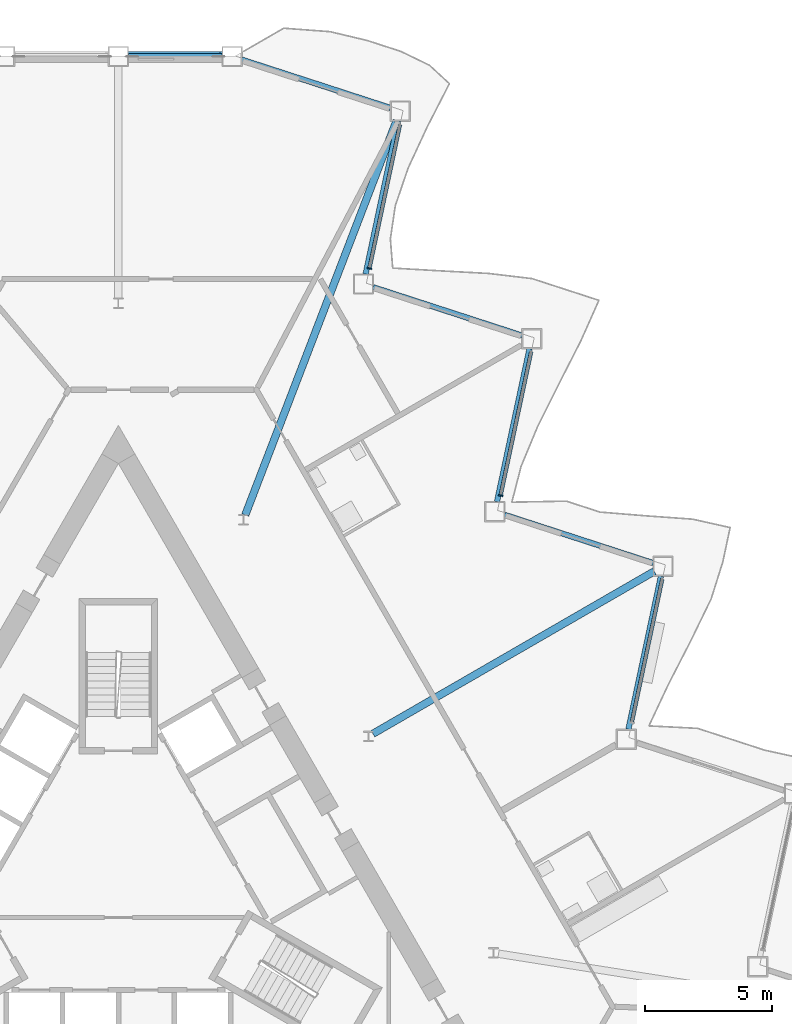
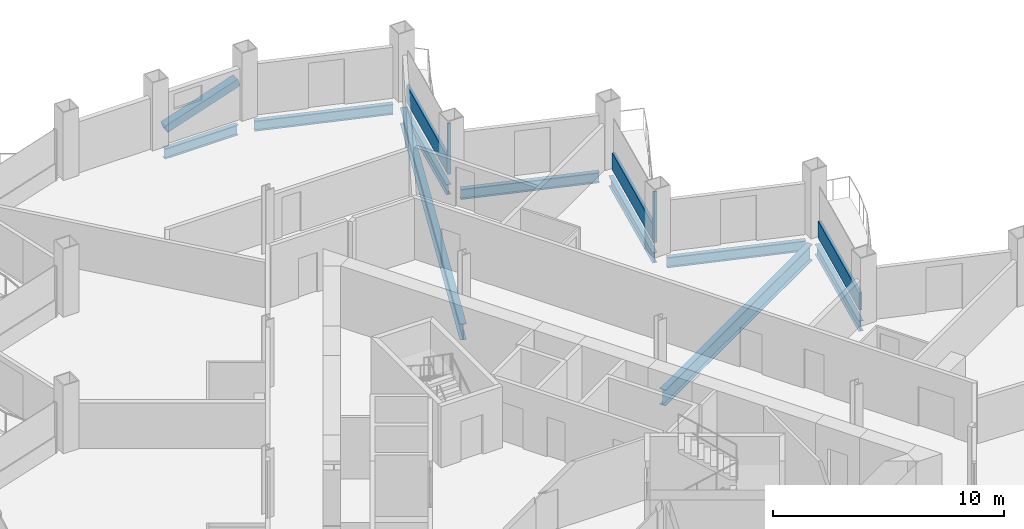
# One storey, part 9 of 23: 9 beams, 6 members, 3 elements without a shape of their own.
"""IFC4 building model written with IfcOpenShell, lengths in metres."""

import ifcopenshell
import ifcopenshell.guid

model = None  # the IFC model being written
_history = None  # IfcOwnerHistory: only IFC2X3 demands one
_inside = {}  # id of a spatial element -> (the spatial element, [elements in it])
_under = {}  # id of a project, library or spatial element -> (it, [spatial elements below it])
_declared = {}  # id of a project -> (the project, [libraries it declares])
_typed = {}  # id of a type object -> (the type object, [elements of that type])
_made_of = {}  # id of a material, layer set ... -> (it, [elements and type objects made of it])


def new_model(schema):
    """Start an empty IFC model of exactly this schema.

    Asked for "IFC4X3", IfcOpenShell would pick the latest addendum, in which some entities
    have other attributes; the version numbers below select the first issue.
    IFC2X3 requires an IfcOwnerHistory on every rooted entity: one is made here for all.
    """
    global model, _history
    if schema == "IFC4X3":
        model = ifcopenshell.file(schema_version=(4, 3, 0, 0))
    else:
        model = ifcopenshell.file(schema=schema)
    _inside.clear()
    _under.clear()
    _declared.clear()
    _typed.clear()
    _made_of.clear()
    _history = None
    if model.schema == "IFC2X3":
        org = make("IfcOrganization", Name="unknown")
        user = make(
            "IfcPersonAndOrganization",
            ThePerson=make("IfcPerson", FamilyName="unknown"),
            TheOrganization=org,
        )
        app = make(
            "IfcApplication",
            ApplicationDeveloper=org,
            Version="unknown",
            ApplicationFullName="unknown",
            ApplicationIdentifier="unknown",
        )
        _history = make(
            "IfcOwnerHistory",
            OwningUser=user,
            OwningApplication=app,
            ChangeAction="ADDED",
            CreationDate=0,
        )
    return model


def make(cls, **values):
    """One entity of the class cls with the attributes given. An attribute that is None is left unset."""
    return model.create_entity(
        cls, **{name: value for name, value in values.items() if value is not None}
    )


def rooted(cls, **values):
    """An entity with a GlobalId (a new one), such as an element, a storey or a relation."""
    return make(cls, GlobalId=ifcopenshell.guid.new(), OwnerHistory=_history, **values)


def si_unit(unit_type, name, prefix=None):
    """IfcSIUnit, for example si_unit("LENGTHUNIT", "METRE", prefix="MILLI")."""
    return make("IfcSIUnit", UnitType=unit_type, Prefix=prefix, Name=name)


def assignment(units):
    """IfcUnitAssignment: the units of a project."""
    return None if units is None else make("IfcUnitAssignment", Units=units)


def point(xyz):
    """IfcCartesianPoint."""
    return None if xyz is None else make("IfcCartesianPoint", Coordinates=xyz)


def direction(xyz):
    """IfcDirection."""
    return None if xyz is None else make("IfcDirection", DirectionRatios=xyz)


def frame(location, z_axis=None, x_axis=None):
    """IfcAxis2Placement3D, a coordinate frame: its origin and axes. An axis left out is left unset."""
    return make(
        "IfcAxis2Placement3D",
        Location=point(location),
        Axis=direction(z_axis),
        RefDirection=direction(x_axis),
    )


def frame_2d(location, x_axis=None):
    """IfcAxis2Placement2D, a coordinate frame in the plane: its origin and x axis."""
    return make(
        "IfcAxis2Placement2D", Location=point(location), RefDirection=direction(x_axis)
    )


def origin():
    """The frame at (0, 0, 0) with its axes left unset."""
    return frame((0.0, 0.0, 0.0))


def origin_2d():
    """The frame at (0, 0) in the plane with its x axis left unset."""
    return frame_2d((0.0, 0.0))


def place(relative_to, where):
    """IfcLocalPlacement: puts the frame where relative to a parent placement (None: the world)."""
    return make(
        "IfcLocalPlacement", PlacementRelTo=relative_to, RelativePlacement=where
    )


def context(
    kind, dimensions, precision=None, world=None, true_north=None, identifier=None
):
    """IfcGeometricRepresentationContext, for example the 3D "Model" context."""
    return make(
        "IfcGeometricRepresentationContext",
        ContextIdentifier=identifier,
        ContextType=kind,
        CoordinateSpaceDimension=dimensions,
        Precision=precision,
        WorldCoordinateSystem=world,
        TrueNorth=true_north,
    )


def subcontext(parent, identifier, kind, view, scale=None):
    """IfcGeometricRepresentationSubContext, for example "Body" below "Model"."""
    return make(
        "IfcGeometricRepresentationSubContext",
        ContextIdentifier=identifier,
        ContextType=kind,
        ParentContext=parent,
        TargetScale=scale,
        TargetView=view,
    )


def project(units=None, contexts=None):
    """IfcProject with its units and contexts."""
    return rooted(
        "IfcProject",
        Name="project",
        RepresentationContexts=contexts,
        UnitsInContext=assignment(units),
    )


def spatial(cls, under=None, at=None, **own):
    """A site, building, storey or space (cls), placed at a placement, below another one or the project."""
    s = rooted(cls, ObjectPlacement=at, **own)
    if under is not None:
        _under.setdefault(under.id(), (under, []))[1].append(s)
    return s


def profile(cls, at=None, kind="AREA", **sizes):
    """A parametric profile (cls). Its sizes go by their IFC names, for example OverallWidth=200.0."""
    return make(cls, ProfileType=kind, Position=at, **sizes)


def rectangle(**sizes):
    """IfcRectangleProfileDef."""
    return profile("IfcRectangleProfileDef", **sizes)


def hollow_rectangle(**sizes):
    """IfcRectangleHollowProfileDef."""
    return profile("IfcRectangleHollowProfileDef", **sizes)


def i_section(**sizes):
    """IfcIShapeProfileDef."""
    return profile("IfcIShapeProfileDef", **sizes)


def extrude(swept, where, along, depth):
    """IfcExtrudedAreaSolid: the profile swept, set in the frame where, extruded along a direction by depth."""
    return make(
        "IfcExtrudedAreaSolid",
        SweptArea=swept,
        Position=where,
        ExtrudedDirection=direction(along),
        Depth=depth,
    )


def shape(context_of_items, identifier, shape_type, items):
    """IfcShapeRepresentation: the items that make up one representation, for example the "Body"."""
    return make(
        "IfcShapeRepresentation",
        ContextOfItems=context_of_items,
        RepresentationIdentifier=identifier,
        RepresentationType=shape_type,
        Items=items,
    )


def material(Name=None, Category=None):
    """IfcMaterial."""
    return make("IfcMaterial", Name=Name, Category=Category)


def layer(
    of_material, thickness, ventilated=None, Name=None, Category=None, Priority=None
):
    """IfcMaterialLayer: one layer of a wall or slab, of a material (None: an air gap)."""
    return make(
        "IfcMaterialLayer",
        Material=of_material,
        LayerThickness=thickness,
        IsVentilated=ventilated,
        Name=Name,
        Category=Category,
        Priority=Priority,
    )


def layer_set(layers, Name=None):
    """IfcMaterialLayerSet."""
    return make("IfcMaterialLayerSet", MaterialLayers=layers, LayerSetName=Name)


def material_profile(
    of_material, cross_section, Name=None, Category=None, Priority=None
):
    """IfcMaterialProfile: a cross section and its material."""
    return make(
        "IfcMaterialProfile",
        Name=Name,
        Material=of_material,
        Profile=cross_section,
        Priority=Priority,
        Category=Category,
    )


def profile_set(profiles, Name=None, composite=None):
    """IfcMaterialProfileSet."""
    return make(
        "IfcMaterialProfileSet",
        Name=Name,
        MaterialProfiles=profiles,
        CompositeProfile=composite,
    )


def made_of(thing, what):
    """Note that an element or type object is made of a material, layer set ...; save() writes the relation."""
    if what is not None:
        _made_of.setdefault(what.id(), (what, []))[1].append(thing)
    return thing


def type_object(cls, material=None, **own):
    """A type object (cls), such as IfcWallType, which elements share."""
    return made_of(rooted(cls, **own), material)


def element(
    cls,
    number,
    at=None,
    inside=None,
    cuts=None,
    type_object=None,
    material=None,
    context=None,
    identifier="Body",
    shape_type=None,
    held_by="IfcProductDefinitionShape",
    body=None,
    shapes=None,
    **own,
):
    """One element of the class cls, such as IfcWall. Its Tag is "e" and its number.

    at: its placement. inside: the storey or other place that contains it. cuts: it is an
    opening in that element (IfcRelVoidsElement). A single representation is given by context,
    identifier, shape_type and body (its items); several are given by shapes. held_by: the class
    of the entity that holds the representations. save() writes the other relations.
    """
    e = rooted(cls, Tag="e%d" % number, ObjectPlacement=at, **own)
    if body is not None:
        shapes = [shape(context, identifier, shape_type, body)]
    if shapes is not None:
        e.Representation = make(held_by, Representations=shapes)
    if inside is not None:
        _inside.setdefault(inside.id(), (inside, []))[1].append(e)
    if cuts is not None:
        rooted(
            "IfcRelVoidsElement", RelatingBuildingElement=cuts, RelatedOpeningElement=e
        )
    if type_object is not None:
        _typed.setdefault(type_object.id(), (type_object, []))[1].append(e)
    return made_of(e, material)


def aggregate(whole, parts):
    """IfcRelAggregates: a whole, such as a stair, and the parts it consists of."""
    return rooted("IfcRelAggregates", RelatingObject=whole, RelatedObjects=parts)


def save(model, path):
    """Write the relations noted so far, then the file.

    IfcRelAggregates (storeys below a building ...), IfcRelContainedInSpatialStructure (elements
    in a storey), IfcRelDefinesByType, IfcRelAssociatesMaterial and IfcRelDeclares: one each for
    every whole, place, type object, material and project.
    """
    for whole, parts in _under.values():
        aggregate(whole, parts)
    for where, things in _inside.values():
        rooted(
            "IfcRelContainedInSpatialStructure",
            RelatedElements=things,
            RelatingStructure=where,
        )
    for kind, things in _typed.values():
        rooted("IfcRelDefinesByType", RelatedObjects=things, RelatingType=kind)
    for what, things in _made_of.values():
        rooted("IfcRelAssociatesMaterial", RelatedObjects=things, RelatingMaterial=what)
    for by, libraries in _declared.values():
        rooted("IfcRelDeclares", RelatingContext=by, RelatedDefinitions=libraries)
    model.write(path)


model = new_model("IFC4")

# Units and contexts
model_context = context("Model", 3, precision=1e-05, world=origin(), true_north=direction((0.0, 1.0)))
body_context = subcontext(model_context, "Body", "Model", "MODEL_VIEW")
ifc_project = project(units=[si_unit("LENGTHUNIT", "METRE"), si_unit("AREAUNIT", "SQUARE_METRE"), si_unit("VOLUMEUNIT", "CUBIC_METRE"), si_unit("PLANEANGLEUNIT", "RADIAN"), si_unit("MASSUNIT", "GRAM", prefix="KILO")], contexts=[model_context])

# Site, building, storey
site_placement = place(None, origin())
site = spatial("IfcSite", under=ifc_project, at=site_placement, CompositionType="ELEMENT")
building_placement = place(site_placement, origin())
building = spatial("IfcBuilding", under=site, at=building_placement, Name="Cormorant Prow Tower", CompositionType="ELEMENT")
storey_placement = place(building_placement, frame((0.0, 0.0, 212.39990234375)))
storey = spatial("IfcBuildingStorey", under=building, at=storey_placement, Name="L47", CompositionType="ELEMENT", Elevation=212.39990234375)

# Member
ifc_material_1 = material(Name="Structural steel ASTM A500 Gr C", Category="steel")
ifc_material_profile_1 = material_profile(ifc_material_1, hollow_rectangle(XDim=0.406494140625, YDim=0.406494140625, WallThickness=0.01171875, at=origin_2d()), Name="HSS16x16x1/2")
ifc_profile_set_1 = profile_set([ifc_material_profile_1], Name="Structural steel ASTM A500 Gr C")
member_type_1 = type_object("IfcMemberType", Name="Chamfer brace HSS16x16x1/2", PredefinedType="BRACE", material=ifc_profile_set_1)
member_1_placement = place(storey_placement, frame((0.417236328125, 32.3994140625, 0.740234375), z_axis=(0.947999999098, 0.0, 0.318270328039), x_axis=(0.0, 1.0, 0.0)))
element("IfcMember", 1, at=member_1_placement, inside=storey, type_object=member_type_1, Name="Chamfer brace BR2 at N00 L47", PredefinedType="BRACE", context=body_context, shape_type="SweptSolid", body=[
    extrude(hollow_rectangle(XDim=0.406494140625, YDim=0.406494140625, WallThickness=0.01171875, at=origin_2d()), origin(), (0.0, 0.0, 1.0), 3.83544921875),
])

# Curtain wall, member
ifc_material_2 = material(Name="Aluminium 6063-T6", Category="aluminium")
ifc_layer = layer(ifc_material_2, 0.179931640625)
ifc_layer_set = layer_set([ifc_layer], Name="Aluminium 6063-T6")
curtain_wall_type = type_object("IfcCurtainWallType", Name="Hotel unitised curtain wall 180", PredefinedType="NOTDEFINED", material=ifc_layer_set)
curtain_wall_1_placement = place(storey_placement, origin())
curtain_wall_1 = element("IfcCurtainWall", 2, at=curtain_wall_1_placement, inside=storey, type_object=curtain_wall_type, Name="Hotel curtain wall ENE06", PredefinedType="NOTDEFINED")
ifc_material_3 = material(Name="Aluminium 6063-T6", Category="aluminium")
ifc_material_profile_2 = material_profile(ifc_material_3, rectangle(XDim=0.179931640625, YDim=0.06005859375, at=origin_2d()), Name="Hotel mullion 60x180")
ifc_profile_set_2 = profile_set([ifc_material_profile_2], Name="Aluminium 6063-T6")
member_type_2 = type_object("IfcMemberType", Name="Hotel mullion 60x180", PredefinedType="MULLION", material=ifc_profile_set_2)
member_2_placement = place(storey_placement, frame((15.027099609375, 15.142333984375, 0.0), z_axis=(0.0, 0.0, 1.0), x_axis=(-0.978147602617, 0.207911681957, 0.0)))
member_2 = element("IfcMember", 3, at=member_2_placement, type_object=member_type_2, Name="Hotel mullion ENE06", PredefinedType="MULLION", context=body_context, shape_type="SweptSolid", body=[
    extrude(rectangle(XDim=0.179931640625, YDim=0.06005859375, at=origin_2d()), origin(), (0.0, 0.0, 1.0), 2.700927734375),
])

curtain_wall_2_placement = place(storey_placement, origin())
curtain_wall_2 = element("IfcCurtainWall", 4, at=curtain_wall_2_placement, inside=storey, type_object=curtain_wall_type, Name="Hotel curtain wall ENE08", PredefinedType="NOTDEFINED")
member_3_placement = place(storey_placement, frame((9.87158203125, 24.072021484375, 0.0), z_axis=(0.0, 0.0, 1.0), x_axis=(-0.978147596387, 0.20791171127, 0.0)))
member_3 = element("IfcMember", 5, at=member_3_placement, type_object=member_type_2, Name="Hotel mullion ENE08", PredefinedType="MULLION", context=body_context, shape_type="SweptSolid", body=[
    extrude(rectangle(XDim=0.179931640625, YDim=0.06005859375, at=origin_2d()), origin(), (0.0, 0.0, 1.0), 2.700927734375),
])

curtain_wall_3_placement = place(storey_placement, origin())
curtain_wall_3 = element("IfcCurtainWall", 6, at=curtain_wall_3_placement, inside=storey, type_object=curtain_wall_type, Name="Hotel curtain wall ENE04", PredefinedType="NOTDEFINED")
ifc_material_4 = material(Name="Terracotta", Category="masonry")
ifc_material_profile_3 = material_profile(ifc_material_4, rectangle(XDim=0.139892578125, YDim=0.89990234375, at=origin_2d()), Name="Hotel terracotta spandrel rail 140x900")
ifc_profile_set_3 = profile_set([ifc_material_profile_3], Name="Terracotta")
member_type_3 = type_object("IfcMemberType", Name="Hotel terracotta spandrel rail 140x900", PredefinedType="USERDEFINED", material=ifc_profile_set_3)
member_4_placement = place(storey_placement, frame((20.18896484375, 6.24169921875, 0.4501953125), z_axis=(0.207925883131, 0.978144583957, 0.0), x_axis=(-0.978144583957, 0.207925883131, 0.0)))
member_4 = element("IfcMember", 7, at=member_4_placement, type_object=member_type_3, Name="Hotel spandrel rail ENE04", ObjectType="TRANSOM", PredefinedType="USERDEFINED", context=body_context, shape_type="SweptSolid", body=[
    extrude(rectangle(XDim=0.139892578125, YDim=0.89990234375, at=origin_2d()), origin(), (0.0, 0.0, 1.0), 5.74169921875),
])
aggregate(curtain_wall_3, [member_4])

# Member
member_5_placement = place(storey_placement, frame((15.033447265625, 15.171630859375, 0.4501953125), z_axis=(0.207885200263, 0.9781532311, 0.0), x_axis=(-0.9781532311, 0.207885200263, 0.0)))
member_5 = element("IfcMember", 8, at=member_5_placement, type_object=member_type_3, Name="Hotel spandrel rail ENE06", ObjectType="TRANSOM", PredefinedType="USERDEFINED", context=body_context, shape_type="SweptSolid", body=[
    extrude(rectangle(XDim=0.139892578125, YDim=0.89990234375, at=origin_2d()), origin(), (0.0, 0.0, 1.0), 5.74169921875),
])

aggregate(curtain_wall_1, [member_2, member_5])

member_6_placement = place(storey_placement, frame((9.877685546875, 24.1015625, 0.4501953125), z_axis=(0.207934531396, 0.97814274554, 0.0), x_axis=(-0.97814274554, 0.207934531396, 0.0)))
member_6 = element("IfcMember", 9, at=member_6_placement, type_object=member_type_3, Name="Hotel spandrel rail ENE08", ObjectType="TRANSOM", PredefinedType="USERDEFINED", context=body_context, shape_type="SweptSolid", body=[
    extrude(rectangle(XDim=0.139892578125, YDim=0.89990234375, at=origin_2d()), origin(), (0.0, 0.0, 1.0), 5.741455078125),
])

aggregate(curtain_wall_2, [member_3, member_6])

# Beams
ifc_material_5 = material(Name="Structural steel ASTM A992 Gr 50", Category="steel")
ifc_material_profile_4 = material_profile(ifc_material_5, i_section(OverallWidth=0.29296875, OverallDepth=0.845703125, WebThickness=0.015380859375, FlangeThickness=0.0244140625, at=origin_2d()), Name="W33x141")
ifc_profile_set_4 = profile_set([ifc_material_profile_4], Name="Structural steel ASTM A992 Gr 50")
beam_type_1 = type_object("IfcBeamType", Name="Radial floor beam W33x141", PredefinedType="BEAM", material=ifc_profile_set_4)
beam_1_placement = place(storey_placement, frame((10.0048828125, 5.7763671875, -0.772705078125), z_axis=(0.866026069776, 0.499998846467, 0.0), x_axis=(-0.499998846467, 0.866026069776, 0.0)))
element("IfcBeam", 10, at=beam_1_placement, inside=storey, type_object=beam_type_1, Name="Radial floor beam FB2 11 L47", PredefinedType="BEAM", context=body_context, shape_type="SweptSolid", body=[
    extrude(i_section(OverallWidth=0.29296875, OverallDepth=0.845703125, WebThickness=0.015380859375, FlangeThickness=0.0244140625, at=origin_2d()), origin(), (0.0, 0.0, 1.0), 12.76904296875),
])
beam_2_placement = place(storey_placement, frame((4.9873046875, 14.376220703125, -0.772705078125), z_axis=(0.358301123829, 0.933606075742, 0.0), x_axis=(-0.933606075742, 0.358301123829, 0.0)))
element("IfcBeam", 11, at=beam_2_placement, inside=storey, type_object=beam_type_1, Name="Radial floor beam FB2 12 L47", PredefinedType="BEAM", context=body_context, shape_type="SweptSolid", body=[
    extrude(i_section(OverallWidth=0.29296875, OverallDepth=0.845703125, WebThickness=0.015380859375, FlangeThickness=0.0244140625, at=origin_2d()), origin(), (0.0, 0.0, 1.0), 16.604736328125),
])
ifc_material_6 = material(Name="Structural steel ASTM A992 Gr 50", Category="steel")
ifc_material_profile_5 = material_profile(ifc_material_6, i_section(OverallWidth=0.2138671875, OverallDepth=0.549072265625, WebThickness=0.0146484375, FlangeThickness=0.023681640625, at=origin_2d()), Name="W21x93")
ifc_profile_set_5 = profile_set([ifc_material_profile_5], Name="Structural steel ASTM A992 Gr 50")
beam_type_2 = type_object("IfcBeamType", Name="Spandrel beam W21x93", PredefinedType="SPANDREL", material=ifc_profile_set_5)
beam_3_placement = place(storey_placement, frame((20.0478515625, 5.9541015625, -0.62451171875), z_axis=(0.207904811195, 0.978149063018, 0.0), x_axis=(-0.978149063018, 0.207904811195, 0.0)))
element("IfcBeam", 12, at=beam_3_placement, inside=storey, type_object=beam_type_2, Name="Spandrel beam SB2 ENE04-ENE05 L47", PredefinedType="SPANDREL", context=body_context, shape_type="SweptSolid", body=[
    extrude(i_section(OverallWidth=0.2138671875, OverallDepth=0.549072265625, WebThickness=0.0146484375, FlangeThickness=0.023681640625, at=origin_2d()), origin(), (0.0, 0.0, 1.0), 6.149658203125),
])
beam_4_placement = place(storey_placement, frame((21.029052734375, 12.484375, -0.62451171875), z_axis=(-0.951057696564, 0.309013361859, 0.0), x_axis=(-0.309013361859, -0.951057696564, 0.0)))
element("IfcBeam", 13, at=beam_4_placement, inside=storey, type_object=beam_type_2, Name="Spandrel beam SB2 ENE05-ENE06 L47", PredefinedType="SPANDREL", context=body_context, shape_type="SweptSolid", body=[
    extrude(i_section(OverallWidth=0.2138671875, OverallDepth=0.549072265625, WebThickness=0.0146484375, FlangeThickness=0.023681640625, at=origin_2d()), origin(), (0.0, 0.0, 1.0), 6.14990234375),
])
beam_5_placement = place(storey_placement, frame((14.883056640625, 14.899658203125, -0.62451171875), z_axis=(0.207904811195, 0.978149063018, 0.0), x_axis=(-0.978149063018, 0.207904811195, 0.0)))
element("IfcBeam", 14, at=beam_5_placement, inside=storey, type_object=beam_type_2, Name="Spandrel beam SB2 ENE06-ENE07 L47", PredefinedType="SPANDREL", context=body_context, shape_type="SweptSolid", body=[
    extrude(i_section(OverallWidth=0.2138671875, OverallDepth=0.549072265625, WebThickness=0.0146484375, FlangeThickness=0.023681640625, at=origin_2d()), origin(), (0.0, 0.0, 1.0), 6.149658203125),
])
beam_6_placement = place(storey_placement, frame((15.864501953125, 21.429931640625, -0.62451171875), z_axis=(-0.951057696564, 0.309013361859, 0.0), x_axis=(-0.309013361859, -0.951057696564, 0.0)))
element("IfcBeam", 15, at=beam_6_placement, inside=storey, type_object=beam_type_2, Name="Spandrel beam SB2 ENE07-ENE08 L47", PredefinedType="SPANDREL", context=body_context, shape_type="SweptSolid", body=[
    extrude(i_section(OverallWidth=0.2138671875, OverallDepth=0.549072265625, WebThickness=0.0146484375, FlangeThickness=0.023681640625, at=origin_2d()), origin(), (0.0, 0.0, 1.0), 6.14990234375),
])
beam_7_placement = place(storey_placement, frame((9.71826171875, 23.84521484375, -0.62451171875), z_axis=(0.207904811195, 0.978149063018, 0.0), x_axis=(-0.978149063018, 0.207904811195, 0.0)))
element("IfcBeam", 16, at=beam_7_placement, inside=storey, type_object=beam_type_2, Name="Spandrel beam SB2 ENE08-ENE09 L47", PredefinedType="SPANDREL", context=body_context, shape_type="SweptSolid", body=[
    extrude(i_section(OverallWidth=0.2138671875, OverallDepth=0.549072265625, WebThickness=0.0146484375, FlangeThickness=0.023681640625, at=origin_2d()), origin(), (0.0, 0.0, 1.0), 6.149658203125),
])
beam_8_placement = place(storey_placement, frame((10.69970703125, 30.37548828125, -0.62451171875), z_axis=(-0.951057696564, 0.309013361859, 0.0), x_axis=(-0.309013361859, -0.951057696564, 0.0)))
element("IfcBeam", 17, at=beam_8_placement, inside=storey, type_object=beam_type_2, Name="Spandrel beam SB2 ENE09-N00 L47", PredefinedType="SPANDREL", context=body_context, shape_type="SweptSolid", body=[
    extrude(i_section(OverallWidth=0.2138671875, OverallDepth=0.549072265625, WebThickness=0.0146484375, FlangeThickness=0.023681640625, at=origin_2d()), origin(), (0.0, 0.0, 1.0), 6.14990234375),
])
beam_9_placement = place(storey_placement, frame((4.0703125, 32.3994140625, -0.62451171875), z_axis=(-1.0, 0.0, 0.0), x_axis=(0.0, -1.0, 0.0)))
element("IfcBeam", 18, at=beam_9_placement, inside=storey, type_object=beam_type_2, Name="Spandrel beam SB2 N00-N01 L47", PredefinedType="SPANDREL", context=body_context, shape_type="SweptSolid", body=[
    extrude(i_section(OverallWidth=0.2138671875, OverallDepth=0.549072265625, WebThickness=0.0146484375, FlangeThickness=0.023681640625, at=origin_2d()), origin(), (0.0, 0.0, 1.0), 3.67041015625),
])

save(model, "model.ifc")
